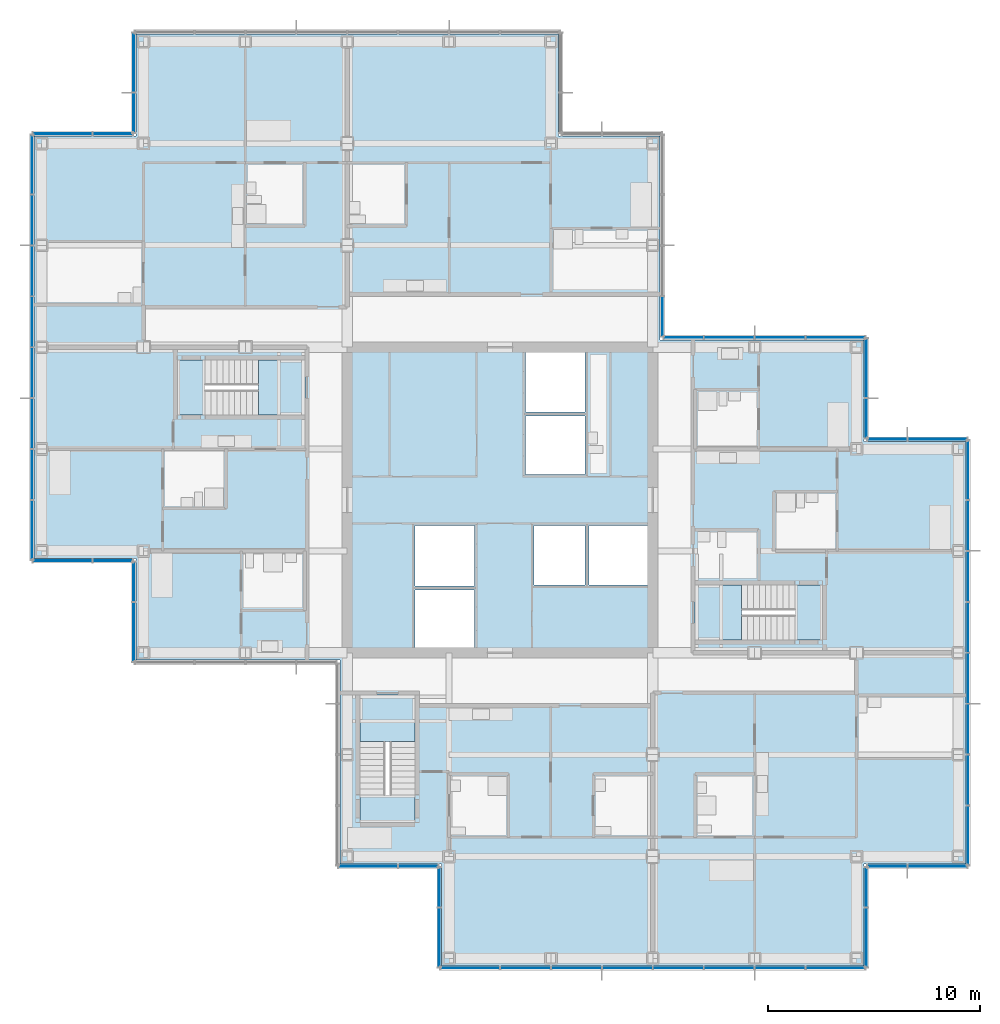
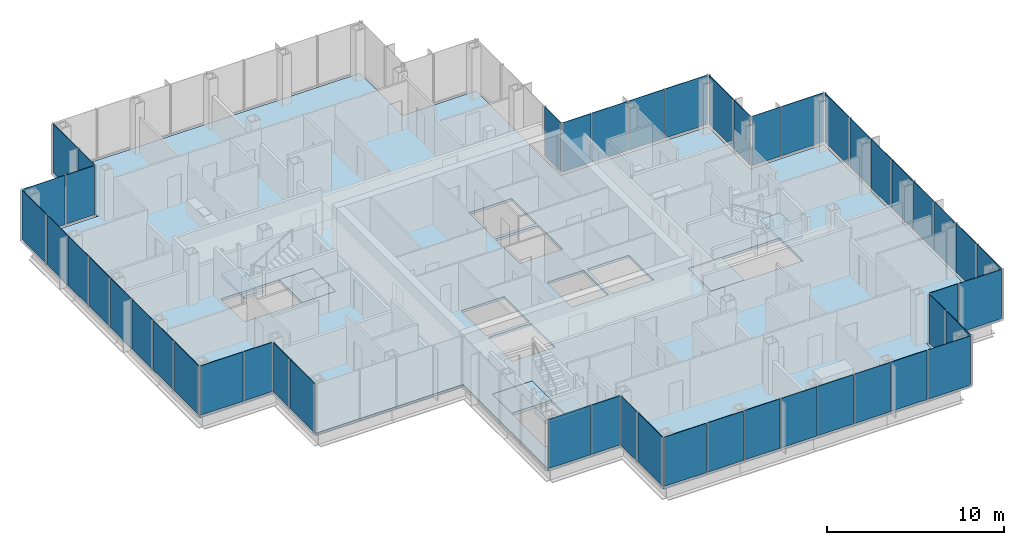
# One storey, part 12 of 20: 49 plates, 7 slabs, 18 elements without a shape of their own.
"""IFC4 building model written with IfcOpenShell, lengths in metres."""

from ifc_helpers import new_model, si_unit, direction, frame, origin, origin_2d, place, context, subcontext, project, spatial, polyline, rectangle, outline, extrude, material, layer, layer_set, type_object, element, aggregate, save


model = new_model("IFC4")

# Units and contexts
model_context = context("Model", 3, precision=1e-05, world=origin(), true_north=direction((0.0, 1.0)))
body_context = subcontext(model_context, "Body", "Model", "MODEL_VIEW")
ifc_project = project(units=[si_unit("LENGTHUNIT", "METRE"), si_unit("AREAUNIT", "SQUARE_METRE"), si_unit("VOLUMEUNIT", "CUBIC_METRE"), si_unit("PLANEANGLEUNIT", "RADIAN"), si_unit("MASSUNIT", "GRAM", prefix="KILO")], contexts=[model_context])

# Site, building, storey
site_placement = place(None, origin())
site = spatial("IfcSite", under=ifc_project, at=site_placement, CompositionType="ELEMENT")
building_placement = place(site_placement, origin())
building = spatial("IfcBuilding", under=site, at=building_placement, Name="Kvirike Care Tower", CompositionType="ELEMENT")
storey_placement = place(building_placement, frame((0.0, 0.0, 126.0)))
storey = spatial("IfcBuildingStorey", under=building, at=storey_placement, Name="L34", CompositionType="ELEMENT", Elevation=126.0)

# Slab
ifc_material_1 = material(Name="Concrete C35/45", Category="concrete")
ifc_layer_1 = layer(ifc_material_1, 0.169921875)
ifc_layer_set_1 = layer_set([ifc_layer_1], Name="FLOOR SLAB 170")
slab_type_1 = type_object("IfcSlabType", Name="FLOOR SLAB 170", PredefinedType="FLOOR", material=ifc_layer_set_1)
slab_1_placement = place(storey_placement, frame((0.0, 0.0, -0.169921875)))
element("IfcSlab", 1, at=slab_1_placement, inside=storey, type_object=slab_type_1, Name="Floor slab L34", PredefinedType="FLOOR", context=body_context, shape_type="SweptSolid", body=[
    extrude(outline(polyline([(43.550048828125, 18.85009765625), (43.550048828125, 38.75), (38.75, 38.75), (38.75, 43.550048828125), (29.14990234375, 43.550048828125), (29.14990234375, 53.14990234375), (24.35009765625, 53.14990234375), (24.35009765625, 57.949951171875), (4.449951171875, 57.949951171875), (4.449951171875, 53.14990234375), (-0.35009765625, 53.14990234375), (-0.35009765625, 33.25), (4.449951171875, 33.25), (4.449951171875, 28.449951171875), (14.050048828125, 28.449951171875), (14.050048828125, 18.85009765625), (18.85009765625, 18.85009765625), (18.85009765625, 14.050048828125), (38.75, 14.050048828125), (38.75, 18.85009765625), (43.550048828125, 18.85009765625)]), holes=[polyline([(17.60009765625, 29.050048828125), (17.60009765625, 31.75), (20.39990234375, 31.75), (20.39990234375, 29.050048828125), (17.60009765625, 29.050048828125)]), polyline([(17.60009765625, 31.949951171875), (17.60009765625, 34.800048828125), (20.39990234375, 34.800048828125), (20.39990234375, 31.949951171875), (17.60009765625, 31.949951171875)]), polyline([(22.800048828125, 37.199951171875), (22.800048828125, 39.949951171875), (25.60009765625, 39.949951171875), (25.60009765625, 37.199951171875), (22.800048828125, 37.199951171875)]), polyline([(22.800048828125, 40.14990234375), (22.800048828125, 42.949951171875), (25.60009765625, 42.949951171875), (25.60009765625, 40.14990234375), (22.800048828125, 40.14990234375)]), polyline([(23.199951171875, 32.0), (23.199951171875, 34.800048828125), (25.60009765625, 34.800048828125), (25.60009765625, 32.0), (23.199951171875, 32.0)]), polyline([(25.800048828125, 32.0), (25.800048828125, 34.800048828125), (28.550048828125, 34.800048828125), (28.550048828125, 32.0), (25.800048828125, 32.0)]), polyline([(12.39990234375, 42.60009765625), (12.39990234375, 40.0), (6.39990234375, 40.0), (6.39990234375, 42.60009765625), (12.39990234375, 42.60009765625)]), polyline([(30.800048828125, 29.39990234375), (30.800048828125, 32.0), (36.800048828125, 32.0), (36.800048828125, 29.39990234375), (30.800048828125, 29.39990234375)]), polyline([(15.0, 26.800048828125), (17.60009765625, 26.800048828125), (17.60009765625, 20.800048828125), (15.0, 20.800048828125), (15.0, 26.800048828125)])]), origin(), (0.0, 0.0, 1.0), 0.169921875),
])

# Stair, slabs
ifc_material_2 = material(Name="Concrete C35/45", Category="concrete")
stair_type = type_object("IfcStairType", Name="STAIR 20 RISERS", PredefinedType="HALF_TURN_STAIR", material=ifc_material_2)
stair_1_placement = place(storey_placement, origin())
stair_1 = element("IfcStair", 2, at=stair_1_placement, inside=storey, type_object=stair_type, Name="Stair 1 L34", PredefinedType="HALF_TURN_STAIR")
ifc_material_3 = material(Name="Concrete C35/45", Category="concrete")
ifc_layer_2 = layer(ifc_material_3, 0.199951171875)
ifc_layer_set_2 = layer_set([ifc_layer_2], Name="STAIR LANDING 200")
slab_type_2 = type_object("IfcSlabType", Name="STAIR LANDING 200", PredefinedType="LANDING", material=ifc_layer_set_2)
slab_2_placement = place(storey_placement, frame((0.0, 0.0, -0.199951171875)))
slab_2 = element("IfcSlab", 3, at=slab_2_placement, type_object=slab_type_2, Name="Stair S1 floor landing L34", PredefinedType="LANDING", context=body_context, shape_type="SweptSolid", body=[
    extrude(outline(polyline([(10.219970703125, 42.60009765625), (10.219970703125, 40.0), (12.39990234375, 40.0), (12.39990234375, 42.60009765625), (10.219970703125, 42.60009765625)])), origin(), (0.0, 0.0, 1.0), 0.199951171875),
])
slab_3_placement = place(storey_placement, frame((0.0, 0.0, 1.550048828125)))
slab_3 = element("IfcSlab", 4, at=slab_3_placement, type_object=slab_type_2, Name="Stair S1 half landing L34-L35", PredefinedType="LANDING", context=body_context, shape_type="SweptSolid", body=[
    extrude(outline(polyline([(6.39990234375, 42.60009765625), (6.39990234375, 40.0), (7.699951171875, 40.0), (7.699951171875, 42.60009765625), (6.39990234375, 42.60009765625)])), origin(), (0.0, 0.0, 1.0), 0.199951171875),
])
aggregate(stair_1, [slab_2, slab_3])

stair_2_placement = place(storey_placement, origin())
stair_2 = element("IfcStair", 5, at=stair_2_placement, inside=storey, type_object=stair_type, Name="Stair 2 L34", PredefinedType="HALF_TURN_STAIR")
slab_4_placement = place(storey_placement, frame((0.0, 0.0, -0.199951171875)))
slab_4 = element("IfcSlab", 6, at=slab_4_placement, type_object=slab_type_2, Name="Stair S2 floor landing L34", PredefinedType="LANDING", context=body_context, shape_type="SweptSolid", body=[
    extrude(outline(polyline([(32.97998046875, 29.39990234375), (32.97998046875, 32.0), (30.800048828125, 32.0), (30.800048828125, 29.39990234375), (32.97998046875, 29.39990234375)])), origin(), (0.0, 0.0, 1.0), 0.199951171875),
])
slab_5_placement = place(storey_placement, frame((0.0, 0.0, 1.550048828125)))
slab_5 = element("IfcSlab", 7, at=slab_5_placement, type_object=slab_type_2, Name="Stair S2 half landing L34-L35", PredefinedType="LANDING", context=body_context, shape_type="SweptSolid", body=[
    extrude(outline(polyline([(36.800048828125, 29.39990234375), (36.800048828125, 32.0), (35.5, 32.0), (35.5, 29.39990234375), (36.800048828125, 29.39990234375)])), origin(), (0.0, 0.0, 1.0), 0.199951171875),
])
aggregate(stair_2, [slab_4, slab_5])

stair_3_placement = place(storey_placement, origin())
stair_3 = element("IfcStair", 8, at=stair_3_placement, inside=storey, type_object=stair_type, Name="Stair 5 L34", PredefinedType="HALF_TURN_STAIR")
slab_6_placement = place(storey_placement, frame((0.0, 0.0, -0.199951171875)))
slab_6 = element("IfcSlab", 9, at=slab_6_placement, type_object=slab_type_2, Name="Stair S5 floor landing L34", PredefinedType="LANDING", context=body_context, shape_type="SweptSolid", body=[
    extrude(outline(polyline([(15.0, 24.6201171875), (17.60009765625, 24.6201171875), (17.60009765625, 26.800048828125), (15.0, 26.800048828125), (15.0, 24.6201171875)])), origin(), (0.0, 0.0, 1.0), 0.199951171875),
])
slab_7_placement = place(storey_placement, frame((0.0, 0.0, 1.550048828125)))
slab_7 = element("IfcSlab", 10, at=slab_7_placement, type_object=slab_type_2, Name="Stair S5 half landing L34-L35", PredefinedType="LANDING", context=body_context, shape_type="SweptSolid", body=[
    extrude(outline(polyline([(15.0, 20.800048828125), (17.60009765625, 20.800048828125), (17.60009765625, 22.10009765625), (15.0, 22.10009765625), (15.0, 20.800048828125)])), origin(), (0.0, 0.0, 1.0), 0.199951171875),
])
aggregate(stair_3, [slab_6, slab_7])

# Curtain wall, plates
ifc_material_4 = material(Name="Anodised aluminium stick system", Category="aluminium")
curtain_wall_type = type_object("IfcCurtainWallType", Name="CW-B STICK CURTAIN WALL", PredefinedType="NOTDEFINED", material=ifc_material_4)
curtain_wall_1_placement = place(storey_placement, origin())
curtain_wall_1 = element("IfcCurtainWall", 11, at=curtain_wall_1_placement, inside=storey, type_object=curtain_wall_type, Name="Curtain wall L34 face 1", PredefinedType="NOTDEFINED")
ifc_material_5 = material(Name="Tinted double glazed unit", Category="glass")
ifc_layer_3 = layer(ifc_material_5, 0.035888671875)
ifc_layer_set_3 = layer_set([ifc_layer_3], Name="TINTED VISION PANEL 36")
plate_type = type_object("IfcPlateType", Name="TINTED VISION PANEL 36", PredefinedType="CURTAIN_PANEL", material=ifc_layer_set_3)
plate_1_placement = place(storey_placement, frame((43.659912109375, 20.186279296875, 0.10009765625), z_axis=(0.0, 0.0, 1.0), x_axis=(0.0, 1.0, 0.0)))
plate_1 = element("IfcPlate", 12, at=plate_1_placement, type_object=plate_type, Name="CW-B panel L34 face 1.1", PredefinedType="CURTAIN_PANEL", context=body_context, shape_type="SweptSolid", body=[
    extrude(rectangle(XDim=2.762451171875, YDim=0.035888671875, at=origin_2d()), origin(), (0.0, 0.0, 1.0), 3.39990234375),
])
plate_2_placement = place(storey_placement, frame((43.659912109375, 22.800048828125, 0.10009765625), z_axis=(0.0, 0.0, 1.0), x_axis=(0.0, 1.0, 0.0)))
plate_2 = element("IfcPlate", 13, at=plate_2_placement, type_object=plate_type, Name="CW-B panel L34 face 1.2", PredefinedType="CURTAIN_PANEL", context=body_context, shape_type="SweptSolid", body=[
    extrude(rectangle(XDim=2.3349609375, YDim=0.035888671875, at=origin_2d()), origin(), (0.0, 0.0, 1.0), 3.39990234375),
])
plate_3_placement = place(storey_placement, frame((43.659912109375, 25.199951171875, 0.10009765625), z_axis=(0.0, 0.0, 1.0), x_axis=(0.0, 1.0, 0.0)))
plate_3 = element("IfcPlate", 14, at=plate_3_placement, type_object=plate_type, Name="CW-B panel L34 face 1.3", PredefinedType="CURTAIN_PANEL", context=body_context, shape_type="SweptSolid", body=[
    extrude(rectangle(XDim=2.3349609375, YDim=0.035888671875, at=origin_2d()), origin(), (0.0, 0.0, 1.0), 3.39990234375),
])
plate_4_placement = place(storey_placement, frame((43.659912109375, 27.60009765625, 0.10009765625), z_axis=(0.0, 0.0, 1.0), x_axis=(0.0, 1.0, 0.0)))
plate_4 = element("IfcPlate", 15, at=plate_4_placement, type_object=plate_type, Name="CW-B panel L34 face 1.4", PredefinedType="CURTAIN_PANEL", context=body_context, shape_type="SweptSolid", body=[
    extrude(rectangle(XDim=2.3349609375, YDim=0.035888671875, at=origin_2d()), origin(), (0.0, 0.0, 1.0), 3.39990234375),
])
plate_5_placement = place(storey_placement, frame((43.659912109375, 30.0, 0.10009765625), z_axis=(0.0, 0.0, 1.0), x_axis=(0.0, 1.0, 0.0)))
plate_5 = element("IfcPlate", 16, at=plate_5_placement, type_object=plate_type, Name="CW-B panel L34 face 1.5", PredefinedType="CURTAIN_PANEL", context=body_context, shape_type="SweptSolid", body=[
    extrude(rectangle(XDim=2.3349609375, YDim=0.035888671875, at=origin_2d()), origin(), (0.0, 0.0, 1.0), 3.39990234375),
])
plate_6_placement = place(storey_placement, frame((43.659912109375, 32.39990234375, 0.10009765625), z_axis=(0.0, 0.0, 1.0), x_axis=(0.0, 1.0, 0.0)))
plate_6 = element("IfcPlate", 17, at=plate_6_placement, type_object=plate_type, Name="CW-B panel L34 face 1.6", PredefinedType="CURTAIN_PANEL", context=body_context, shape_type="SweptSolid", body=[
    extrude(rectangle(XDim=2.3349609375, YDim=0.035888671875, at=origin_2d()), origin(), (0.0, 0.0, 1.0), 3.39990234375),
])
plate_7_placement = place(storey_placement, frame((43.659912109375, 34.800048828125, 0.10009765625), z_axis=(0.0, 0.0, 1.0), x_axis=(0.0, 1.0, 0.0)))
plate_7 = element("IfcPlate", 18, at=plate_7_placement, type_object=plate_type, Name="CW-B panel L34 face 1.7", PredefinedType="CURTAIN_PANEL", context=body_context, shape_type="SweptSolid", body=[
    extrude(rectangle(XDim=2.3349609375, YDim=0.035888671875, at=origin_2d()), origin(), (0.0, 0.0, 1.0), 3.39990234375),
])
plate_8_placement = place(storey_placement, frame((43.659912109375, 37.413818359375, 0.10009765625), z_axis=(0.0, 0.0, 1.0), x_axis=(0.0, 1.0, 0.0)))
plate_8 = element("IfcPlate", 19, at=plate_8_placement, type_object=plate_type, Name="CW-B panel L34 face 1.8", PredefinedType="CURTAIN_PANEL", context=body_context, shape_type="SweptSolid", body=[
    extrude(rectangle(XDim=2.762451171875, YDim=0.035888671875, at=origin_2d()), origin(), (0.0, 0.0, 1.0), 3.39990234375),
])
aggregate(curtain_wall_1, [plate_1, plate_2, plate_3, plate_4, plate_5, plate_6, plate_7, plate_8])

curtain_wall_2_placement = place(storey_placement, origin())
curtain_wall_2 = element("IfcCurtainWall", 20, at=curtain_wall_2_placement, inside=storey, type_object=curtain_wall_type, Name="Curtain wall L34 face 2", PredefinedType="NOTDEFINED")
plate_9_placement = place(storey_placement, frame((42.2138671875, 38.860107421875, 0.10009765625), z_axis=(0.0, 0.0, 1.0), x_axis=(-1.0, 0.0, 0.0)))
plate_9 = element("IfcPlate", 21, at=plate_9_placement, type_object=plate_type, Name="CW-B panel L34 face 2.1", PredefinedType="CURTAIN_PANEL", context=body_context, shape_type="SweptSolid", body=[
    extrude(rectangle(XDim=2.762451171875, YDim=0.035888671875, at=origin_2d()), origin(), (0.0, 0.0, 1.0), 3.39990234375),
])
plate_10_placement = place(storey_placement, frame((39.84619140625, 38.860107421875, 0.10009765625), z_axis=(0.0, 0.0, 1.0), x_axis=(-1.0, 0.0, 0.0)))
plate_10 = element("IfcPlate", 22, at=plate_10_placement, type_object=plate_type, Name="CW-B panel L34 face 2.2", PredefinedType="CURTAIN_PANEL", context=body_context, shape_type="SweptSolid", body=[
    extrude(rectangle(XDim=1.842529296875, YDim=0.035888671875, at=origin_2d()), origin(), (0.0, 0.0, 1.0), 3.39990234375),
])
aggregate(curtain_wall_2, [plate_9, plate_10])

curtain_wall_3_placement = place(storey_placement, origin())
curtain_wall_3 = element("IfcCurtainWall", 23, at=curtain_wall_3_placement, inside=storey, type_object=curtain_wall_type, Name="Curtain wall L34 face 3", PredefinedType="NOTDEFINED")
plate_11_placement = place(storey_placement, frame((38.860107421875, 39.84619140625, 0.10009765625), z_axis=(0.0, 0.0, 1.0), x_axis=(0.0, 1.0, 0.0)))
plate_11 = element("IfcPlate", 24, at=plate_11_placement, type_object=plate_type, Name="CW-B panel L34 face 3.1", PredefinedType="CURTAIN_PANEL", context=body_context, shape_type="SweptSolid", body=[
    extrude(rectangle(XDim=1.842529296875, YDim=0.035888671875, at=origin_2d()), origin(), (0.0, 0.0, 1.0), 3.39990234375),
])
plate_12_placement = place(storey_placement, frame((38.860107421875, 42.2138671875, 0.10009765625), z_axis=(0.0, 0.0, 1.0), x_axis=(0.0, 1.0, 0.0)))
plate_12 = element("IfcPlate", 25, at=plate_12_placement, type_object=plate_type, Name="CW-B panel L34 face 3.2", PredefinedType="CURTAIN_PANEL", context=body_context, shape_type="SweptSolid", body=[
    extrude(rectangle(XDim=2.762451171875, YDim=0.035888671875, at=origin_2d()), origin(), (0.0, 0.0, 1.0), 3.39990234375),
])
aggregate(curtain_wall_3, [plate_11, plate_12])

curtain_wall_4_placement = place(storey_placement, origin())
curtain_wall_4 = element("IfcCurtainWall", 26, at=curtain_wall_4_placement, inside=storey, type_object=curtain_wall_type, Name="Curtain wall L34 face 4", PredefinedType="NOTDEFINED")
plate_13_placement = place(storey_placement, frame((37.413818359375, 43.659912109375, 0.10009765625), z_axis=(0.0, 0.0, 1.0), x_axis=(-1.0, 0.0, 0.0)))
plate_13 = element("IfcPlate", 27, at=plate_13_placement, type_object=plate_type, Name="CW-B panel L34 face 4.1", PredefinedType="CURTAIN_PANEL", context=body_context, shape_type="SweptSolid", body=[
    extrude(rectangle(XDim=2.762451171875, YDim=0.035888671875, at=origin_2d()), origin(), (0.0, 0.0, 1.0), 3.39990234375),
])
plate_14_placement = place(storey_placement, frame((34.800048828125, 43.659912109375, 0.10009765625), z_axis=(0.0, 0.0, 1.0), x_axis=(-1.0, 0.0, 0.0)))
plate_14 = element("IfcPlate", 28, at=plate_14_placement, type_object=plate_type, Name="CW-B panel L34 face 4.2", PredefinedType="CURTAIN_PANEL", context=body_context, shape_type="SweptSolid", body=[
    extrude(rectangle(XDim=2.3349609375, YDim=0.035888671875, at=origin_2d()), origin(), (0.0, 0.0, 1.0), 3.39990234375),
])
plate_15_placement = place(storey_placement, frame((32.39990234375, 43.659912109375, 0.10009765625), z_axis=(0.0, 0.0, 1.0), x_axis=(-1.0, 0.0, 0.0)))
plate_15 = element("IfcPlate", 29, at=plate_15_placement, type_object=plate_type, Name="CW-B panel L34 face 4.3", PredefinedType="CURTAIN_PANEL", context=body_context, shape_type="SweptSolid", body=[
    extrude(rectangle(XDim=2.3349609375, YDim=0.035888671875, at=origin_2d()), origin(), (0.0, 0.0, 1.0), 3.39990234375),
])
plate_16_placement = place(storey_placement, frame((30.246337890625, 43.659912109375, 0.10009765625), z_axis=(0.0, 0.0, 1.0), x_axis=(-1.0, 0.0, 0.0)))
plate_16 = element("IfcPlate", 30, at=plate_16_placement, type_object=plate_type, Name="CW-B panel L34 face 4.4", PredefinedType="CURTAIN_PANEL", context=body_context, shape_type="SweptSolid", body=[
    extrude(rectangle(XDim=1.842529296875, YDim=0.035888671875, at=origin_2d()), origin(), (0.0, 0.0, 1.0), 3.39990234375),
])
aggregate(curtain_wall_4, [plate_13, plate_14, plate_15, plate_16])

# Curtain wall, plate
curtain_wall_5_placement = place(storey_placement, origin())
curtain_wall_5 = element("IfcCurtainWall", 31, at=curtain_wall_5_placement, inside=storey, type_object=curtain_wall_type, Name="Curtain wall L34 face 5", PredefinedType="NOTDEFINED")
plate_17_placement = place(storey_placement, frame((29.260009765625, 44.646240234375, 0.10009765625), z_axis=(0.0, 0.0, 1.0), x_axis=(0.0, 1.0, 0.0)))
plate_17 = element("IfcPlate", 32, at=plate_17_placement, type_object=plate_type, Name="CW-B panel L34 face 5.1", PredefinedType="CURTAIN_PANEL", context=body_context, shape_type="SweptSolid", body=[
    extrude(rectangle(XDim=1.842529296875, YDim=0.035888671875, at=origin_2d()), origin(), (0.0, 0.0, 1.0), 3.39990234375),
])
aggregate(curtain_wall_5, [plate_17])

# Curtain wall, plates
curtain_wall_6_placement = place(storey_placement, origin())
curtain_wall_6 = element("IfcCurtainWall", 33, at=curtain_wall_6_placement, inside=storey, type_object=curtain_wall_type, Name="Curtain wall L34 face 9", PredefinedType="NOTDEFINED")
plate_18_placement = place(storey_placement, frame((4.340087890625, 56.61376953125, 0.10009765625), z_axis=(0.0, 0.0, 1.0), x_axis=(0.0, -1.0, 0.0)))
plate_18 = element("IfcPlate", 34, at=plate_18_placement, type_object=plate_type, Name="CW-B panel L34 face 9.1", PredefinedType="CURTAIN_PANEL", context=body_context, shape_type="SweptSolid", body=[
    extrude(rectangle(XDim=2.762451171875, YDim=0.035888671875, at=origin_2d()), origin(), (0.0, 0.0, 1.0), 3.39990234375),
])
plate_19_placement = place(storey_placement, frame((4.340087890625, 54.246337890625, 0.10009765625), z_axis=(0.0, 0.0, 1.0), x_axis=(0.0, -1.0, 0.0)))
plate_19 = element("IfcPlate", 35, at=plate_19_placement, type_object=plate_type, Name="CW-B panel L34 face 9.2", PredefinedType="CURTAIN_PANEL", context=body_context, shape_type="SweptSolid", body=[
    extrude(rectangle(XDim=1.842529296875, YDim=0.035888671875, at=origin_2d()), origin(), (0.0, 0.0, 1.0), 3.39990234375),
])
aggregate(curtain_wall_6, [plate_18, plate_19])

curtain_wall_7_placement = place(storey_placement, origin())
curtain_wall_7 = element("IfcCurtainWall", 36, at=curtain_wall_7_placement, inside=storey, type_object=curtain_wall_type, Name="Curtain wall L34 face 10", PredefinedType="NOTDEFINED")
plate_20_placement = place(storey_placement, frame((3.353759765625, 53.260009765625, 0.10009765625), z_axis=(0.0, 0.0, 1.0), x_axis=(-1.0, 0.0, 0.0)))
plate_20 = element("IfcPlate", 37, at=plate_20_placement, type_object=plate_type, Name="CW-B panel L34 face 10.1", PredefinedType="CURTAIN_PANEL", context=body_context, shape_type="SweptSolid", body=[
    extrude(rectangle(XDim=1.842529296875, YDim=0.035888671875, at=origin_2d()), origin(), (0.0, 0.0, 1.0), 3.39990234375),
])
plate_21_placement = place(storey_placement, frame((0.986328125, 53.260009765625, 0.10009765625), z_axis=(0.0, 0.0, 1.0), x_axis=(-1.0, 0.0, 0.0)))
plate_21 = element("IfcPlate", 38, at=plate_21_placement, type_object=plate_type, Name="CW-B panel L34 face 10.2", PredefinedType="CURTAIN_PANEL", context=body_context, shape_type="SweptSolid", body=[
    extrude(rectangle(XDim=2.762451171875, YDim=0.035888671875, at=origin_2d()), origin(), (0.0, 0.0, 1.0), 3.39990234375),
])
aggregate(curtain_wall_7, [plate_20, plate_21])

curtain_wall_8_placement = place(storey_placement, origin())
curtain_wall_8 = element("IfcCurtainWall", 39, at=curtain_wall_8_placement, inside=storey, type_object=curtain_wall_type, Name="Curtain wall L34 face 11", PredefinedType="NOTDEFINED")
plate_22_placement = place(storey_placement, frame((-0.4599609375, 51.813720703125, 0.10009765625), z_axis=(0.0, 0.0, 1.0), x_axis=(0.0, -1.0, 0.0)))
plate_22 = element("IfcPlate", 40, at=plate_22_placement, type_object=plate_type, Name="CW-B panel L34 face 11.1", PredefinedType="CURTAIN_PANEL", context=body_context, shape_type="SweptSolid", body=[
    extrude(rectangle(XDim=2.762451171875, YDim=0.035888671875, at=origin_2d()), origin(), (0.0, 0.0, 1.0), 3.39990234375),
])
plate_23_placement = place(storey_placement, frame((-0.4599609375, 49.199951171875, 0.10009765625), z_axis=(0.0, 0.0, 1.0), x_axis=(0.0, -1.0, 0.0)))
plate_23 = element("IfcPlate", 41, at=plate_23_placement, type_object=plate_type, Name="CW-B panel L34 face 11.2", PredefinedType="CURTAIN_PANEL", context=body_context, shape_type="SweptSolid", body=[
    extrude(rectangle(XDim=2.3349609375, YDim=0.035888671875, at=origin_2d()), origin(), (0.0, 0.0, 1.0), 3.39990234375),
])
plate_24_placement = place(storey_placement, frame((-0.4599609375, 46.800048828125, 0.10009765625), z_axis=(0.0, 0.0, 1.0), x_axis=(0.0, -1.0, 0.0)))
plate_24 = element("IfcPlate", 42, at=plate_24_placement, type_object=plate_type, Name="CW-B panel L34 face 11.3", PredefinedType="CURTAIN_PANEL", context=body_context, shape_type="SweptSolid", body=[
    extrude(rectangle(XDim=2.3349609375, YDim=0.035888671875, at=origin_2d()), origin(), (0.0, 0.0, 1.0), 3.39990234375),
])
plate_25_placement = place(storey_placement, frame((-0.4599609375, 44.39990234375, 0.10009765625), z_axis=(0.0, 0.0, 1.0), x_axis=(0.0, -1.0, 0.0)))
plate_25 = element("IfcPlate", 43, at=plate_25_placement, type_object=plate_type, Name="CW-B panel L34 face 11.4", PredefinedType="CURTAIN_PANEL", context=body_context, shape_type="SweptSolid", body=[
    extrude(rectangle(XDim=2.3349609375, YDim=0.035888671875, at=origin_2d()), origin(), (0.0, 0.0, 1.0), 3.39990234375),
])
plate_26_placement = place(storey_placement, frame((-0.4599609375, 42.0, 0.10009765625), z_axis=(0.0, 0.0, 1.0), x_axis=(0.0, -1.0, 0.0)))
plate_26 = element("IfcPlate", 44, at=plate_26_placement, type_object=plate_type, Name="CW-B panel L34 face 11.5", PredefinedType="CURTAIN_PANEL", context=body_context, shape_type="SweptSolid", body=[
    extrude(rectangle(XDim=2.3349609375, YDim=0.035888671875, at=origin_2d()), origin(), (0.0, 0.0, 1.0), 3.39990234375),
])
plate_27_placement = place(storey_placement, frame((-0.4599609375, 39.60009765625, 0.10009765625), z_axis=(0.0, 0.0, 1.0), x_axis=(0.0, -1.0, 0.0)))
plate_27 = element("IfcPlate", 45, at=plate_27_placement, type_object=plate_type, Name="CW-B panel L34 face 11.6", PredefinedType="CURTAIN_PANEL", context=body_context, shape_type="SweptSolid", body=[
    extrude(rectangle(XDim=2.3349609375, YDim=0.035888671875, at=origin_2d()), origin(), (0.0, 0.0, 1.0), 3.39990234375),
])
plate_28_placement = place(storey_placement, frame((-0.4599609375, 37.199951171875, 0.10009765625), z_axis=(0.0, 0.0, 1.0), x_axis=(0.0, -1.0, 0.0)))
plate_28 = element("IfcPlate", 46, at=plate_28_placement, type_object=plate_type, Name="CW-B panel L34 face 11.7", PredefinedType="CURTAIN_PANEL", context=body_context, shape_type="SweptSolid", body=[
    extrude(rectangle(XDim=2.3349609375, YDim=0.035888671875, at=origin_2d()), origin(), (0.0, 0.0, 1.0), 3.39990234375),
])
plate_29_placement = place(storey_placement, frame((-0.4599609375, 34.586181640625, 0.10009765625), z_axis=(0.0, 0.0, 1.0), x_axis=(0.0, -1.0, 0.0)))
plate_29 = element("IfcPlate", 47, at=plate_29_placement, type_object=plate_type, Name="CW-B panel L34 face 11.8", PredefinedType="CURTAIN_PANEL", context=body_context, shape_type="SweptSolid", body=[
    extrude(rectangle(XDim=2.762451171875, YDim=0.035888671875, at=origin_2d()), origin(), (0.0, 0.0, 1.0), 3.39990234375),
])
aggregate(curtain_wall_8, [plate_22, plate_23, plate_24, plate_25, plate_26, plate_27, plate_28, plate_29])

curtain_wall_9_placement = place(storey_placement, origin())
curtain_wall_9 = element("IfcCurtainWall", 48, at=curtain_wall_9_placement, inside=storey, type_object=curtain_wall_type, Name="Curtain wall L34 face 12", PredefinedType="NOTDEFINED")
plate_30_placement = place(storey_placement, frame((0.986328125, 33.139892578125, 0.10009765625), z_axis=(0.0, 0.0, 1.0), x_axis=(1.0, 0.0, 0.0)))
plate_30 = element("IfcPlate", 49, at=plate_30_placement, type_object=plate_type, Name="CW-B panel L34 face 12.1", PredefinedType="CURTAIN_PANEL", context=body_context, shape_type="SweptSolid", body=[
    extrude(rectangle(XDim=2.762451171875, YDim=0.035888671875, at=origin_2d()), origin(), (0.0, 0.0, 1.0), 3.39990234375),
])
plate_31_placement = place(storey_placement, frame((3.353759765625, 33.139892578125, 0.10009765625), z_axis=(0.0, 0.0, 1.0), x_axis=(1.0, 0.0, 0.0)))
plate_31 = element("IfcPlate", 50, at=plate_31_placement, type_object=plate_type, Name="CW-B panel L34 face 12.2", PredefinedType="CURTAIN_PANEL", context=body_context, shape_type="SweptSolid", body=[
    extrude(rectangle(XDim=1.842529296875, YDim=0.035888671875, at=origin_2d()), origin(), (0.0, 0.0, 1.0), 3.39990234375),
])
aggregate(curtain_wall_9, [plate_30, plate_31])

curtain_wall_10_placement = place(storey_placement, origin())
curtain_wall_10 = element("IfcCurtainWall", 51, at=curtain_wall_10_placement, inside=storey, type_object=curtain_wall_type, Name="Curtain wall L34 face 13", PredefinedType="NOTDEFINED")
plate_32_placement = place(storey_placement, frame((4.340087890625, 32.15380859375, 0.10009765625), z_axis=(0.0, 0.0, 1.0), x_axis=(0.0, -1.0, 0.0)))
plate_32 = element("IfcPlate", 52, at=plate_32_placement, type_object=plate_type, Name="CW-B panel L34 face 13.1", PredefinedType="CURTAIN_PANEL", context=body_context, shape_type="SweptSolid", body=[
    extrude(rectangle(XDim=1.842529296875, YDim=0.035888671875, at=origin_2d()), origin(), (0.0, 0.0, 1.0), 3.39990234375),
])
plate_33_placement = place(storey_placement, frame((4.340087890625, 29.7861328125, 0.10009765625), z_axis=(0.0, 0.0, 1.0), x_axis=(0.0, -1.0, 0.0)))
plate_33 = element("IfcPlate", 53, at=plate_33_placement, type_object=plate_type, Name="CW-B panel L34 face 13.2", PredefinedType="CURTAIN_PANEL", context=body_context, shape_type="SweptSolid", body=[
    extrude(rectangle(XDim=2.762451171875, YDim=0.035888671875, at=origin_2d()), origin(), (0.0, 0.0, 1.0), 3.39990234375),
])
aggregate(curtain_wall_10, [plate_32, plate_33])

curtain_wall_11_placement = place(storey_placement, origin())
curtain_wall_11 = element("IfcCurtainWall", 54, at=curtain_wall_11_placement, inside=storey, type_object=curtain_wall_type, Name="Curtain wall L34 face 16", PredefinedType="NOTDEFINED")
plate_34_placement = place(storey_placement, frame((15.38623046875, 18.739990234375, 0.10009765625), z_axis=(0.0, 0.0, 1.0), x_axis=(1.0, 0.0, 0.0)))
plate_34 = element("IfcPlate", 55, at=plate_34_placement, type_object=plate_type, Name="CW-B panel L34 face 16.1", PredefinedType="CURTAIN_PANEL", context=body_context, shape_type="SweptSolid", body=[
    extrude(rectangle(XDim=2.762451171875, YDim=0.035888671875, at=origin_2d()), origin(), (0.0, 0.0, 1.0), 3.39990234375),
])
plate_35_placement = place(storey_placement, frame((17.753662109375, 18.739990234375, 0.10009765625), z_axis=(0.0, 0.0, 1.0), x_axis=(1.0, 0.0, 0.0)))
plate_35 = element("IfcPlate", 56, at=plate_35_placement, type_object=plate_type, Name="CW-B panel L34 face 16.2", PredefinedType="CURTAIN_PANEL", context=body_context, shape_type="SweptSolid", body=[
    extrude(rectangle(XDim=1.842529296875, YDim=0.035888671875, at=origin_2d()), origin(), (0.0, 0.0, 1.0), 3.39990234375),
])
aggregate(curtain_wall_11, [plate_34, plate_35])

curtain_wall_12_placement = place(storey_placement, origin())
curtain_wall_12 = element("IfcCurtainWall", 57, at=curtain_wall_12_placement, inside=storey, type_object=curtain_wall_type, Name="Curtain wall L34 face 17", PredefinedType="NOTDEFINED")
plate_36_placement = place(storey_placement, frame((18.739990234375, 17.753662109375, 0.10009765625), z_axis=(0.0, 0.0, 1.0), x_axis=(0.0, -1.0, 0.0)))
plate_36 = element("IfcPlate", 58, at=plate_36_placement, type_object=plate_type, Name="CW-B panel L34 face 17.1", PredefinedType="CURTAIN_PANEL", context=body_context, shape_type="SweptSolid", body=[
    extrude(rectangle(XDim=1.842529296875, YDim=0.035888671875, at=origin_2d()), origin(), (0.0, 0.0, 1.0), 3.39990234375),
])
plate_37_placement = place(storey_placement, frame((18.739990234375, 15.38623046875, 0.10009765625), z_axis=(0.0, 0.0, 1.0), x_axis=(0.0, -1.0, 0.0)))
plate_37 = element("IfcPlate", 59, at=plate_37_placement, type_object=plate_type, Name="CW-B panel L34 face 17.2", PredefinedType="CURTAIN_PANEL", context=body_context, shape_type="SweptSolid", body=[
    extrude(rectangle(XDim=2.762451171875, YDim=0.035888671875, at=origin_2d()), origin(), (0.0, 0.0, 1.0), 3.39990234375),
])
aggregate(curtain_wall_12, [plate_36, plate_37])

curtain_wall_13_placement = place(storey_placement, origin())
curtain_wall_13 = element("IfcCurtainWall", 60, at=curtain_wall_13_placement, inside=storey, type_object=curtain_wall_type, Name="Curtain wall L34 face 18", PredefinedType="NOTDEFINED")
plate_38_placement = place(storey_placement, frame((20.186279296875, 13.93994140625, 0.10009765625), z_axis=(0.0, 0.0, 1.0), x_axis=(1.0, 0.0, 0.0)))
plate_38 = element("IfcPlate", 61, at=plate_38_placement, type_object=plate_type, Name="CW-B panel L34 face 18.1", PredefinedType="CURTAIN_PANEL", context=body_context, shape_type="SweptSolid", body=[
    extrude(rectangle(XDim=2.762451171875, YDim=0.035888671875, at=origin_2d()), origin(), (0.0, 0.0, 1.0), 3.39990234375),
])
plate_39_placement = place(storey_placement, frame((22.800048828125, 13.93994140625, 0.10009765625), z_axis=(0.0, 0.0, 1.0), x_axis=(1.0, 0.0, 0.0)))
plate_39 = element("IfcPlate", 62, at=plate_39_placement, type_object=plate_type, Name="CW-B panel L34 face 18.2", PredefinedType="CURTAIN_PANEL", context=body_context, shape_type="SweptSolid", body=[
    extrude(rectangle(XDim=2.3349609375, YDim=0.035888671875, at=origin_2d()), origin(), (0.0, 0.0, 1.0), 3.39990234375),
])
plate_40_placement = place(storey_placement, frame((25.199951171875, 13.93994140625, 0.10009765625), z_axis=(0.0, 0.0, 1.0), x_axis=(1.0, 0.0, 0.0)))
plate_40 = element("IfcPlate", 63, at=plate_40_placement, type_object=plate_type, Name="CW-B panel L34 face 18.3", PredefinedType="CURTAIN_PANEL", context=body_context, shape_type="SweptSolid", body=[
    extrude(rectangle(XDim=2.3349609375, YDim=0.035888671875, at=origin_2d()), origin(), (0.0, 0.0, 1.0), 3.39990234375),
])
plate_41_placement = place(storey_placement, frame((27.60009765625, 13.93994140625, 0.10009765625), z_axis=(0.0, 0.0, 1.0), x_axis=(1.0, 0.0, 0.0)))
plate_41 = element("IfcPlate", 64, at=plate_41_placement, type_object=plate_type, Name="CW-B panel L34 face 18.4", PredefinedType="CURTAIN_PANEL", context=body_context, shape_type="SweptSolid", body=[
    extrude(rectangle(XDim=2.3349609375, YDim=0.035888671875, at=origin_2d()), origin(), (0.0, 0.0, 1.0), 3.39990234375),
])
plate_42_placement = place(storey_placement, frame((30.0, 13.93994140625, 0.10009765625), z_axis=(0.0, 0.0, 1.0), x_axis=(1.0, 0.0, 0.0)))
plate_42 = element("IfcPlate", 65, at=plate_42_placement, type_object=plate_type, Name="CW-B panel L34 face 18.5", PredefinedType="CURTAIN_PANEL", context=body_context, shape_type="SweptSolid", body=[
    extrude(rectangle(XDim=2.3349609375, YDim=0.035888671875, at=origin_2d()), origin(), (0.0, 0.0, 1.0), 3.39990234375),
])
plate_43_placement = place(storey_placement, frame((32.39990234375, 13.93994140625, 0.10009765625), z_axis=(0.0, 0.0, 1.0), x_axis=(1.0, 0.0, 0.0)))
plate_43 = element("IfcPlate", 66, at=plate_43_placement, type_object=plate_type, Name="CW-B panel L34 face 18.6", PredefinedType="CURTAIN_PANEL", context=body_context, shape_type="SweptSolid", body=[
    extrude(rectangle(XDim=2.3349609375, YDim=0.035888671875, at=origin_2d()), origin(), (0.0, 0.0, 1.0), 3.39990234375),
])
plate_44_placement = place(storey_placement, frame((34.800048828125, 13.93994140625, 0.10009765625), z_axis=(0.0, 0.0, 1.0), x_axis=(1.0, 0.0, 0.0)))
plate_44 = element("IfcPlate", 67, at=plate_44_placement, type_object=plate_type, Name="CW-B panel L34 face 18.7", PredefinedType="CURTAIN_PANEL", context=body_context, shape_type="SweptSolid", body=[
    extrude(rectangle(XDim=2.3349609375, YDim=0.035888671875, at=origin_2d()), origin(), (0.0, 0.0, 1.0), 3.39990234375),
])
plate_45_placement = place(storey_placement, frame((37.413818359375, 13.93994140625, 0.10009765625), z_axis=(0.0, 0.0, 1.0), x_axis=(1.0, 0.0, 0.0)))
plate_45 = element("IfcPlate", 68, at=plate_45_placement, type_object=plate_type, Name="CW-B panel L34 face 18.8", PredefinedType="CURTAIN_PANEL", context=body_context, shape_type="SweptSolid", body=[
    extrude(rectangle(XDim=2.762451171875, YDim=0.035888671875, at=origin_2d()), origin(), (0.0, 0.0, 1.0), 3.39990234375),
])
aggregate(curtain_wall_13, [plate_38, plate_39, plate_40, plate_41, plate_42, plate_43, plate_44, plate_45])

curtain_wall_14_placement = place(storey_placement, origin())
curtain_wall_14 = element("IfcCurtainWall", 69, at=curtain_wall_14_placement, inside=storey, type_object=curtain_wall_type, Name="Curtain wall L34 face 19", PredefinedType="NOTDEFINED")
plate_46_placement = place(storey_placement, frame((38.860107421875, 15.38623046875, 0.10009765625), z_axis=(0.0, 0.0, 1.0), x_axis=(0.0, 1.0, 0.0)))
plate_46 = element("IfcPlate", 70, at=plate_46_placement, type_object=plate_type, Name="CW-B panel L34 face 19.1", PredefinedType="CURTAIN_PANEL", context=body_context, shape_type="SweptSolid", body=[
    extrude(rectangle(XDim=2.762451171875, YDim=0.035888671875, at=origin_2d()), origin(), (0.0, 0.0, 1.0), 3.39990234375),
])
plate_47_placement = place(storey_placement, frame((38.860107421875, 17.753662109375, 0.10009765625), z_axis=(0.0, 0.0, 1.0), x_axis=(0.0, 1.0, 0.0)))
plate_47 = element("IfcPlate", 71, at=plate_47_placement, type_object=plate_type, Name="CW-B panel L34 face 19.2", PredefinedType="CURTAIN_PANEL", context=body_context, shape_type="SweptSolid", body=[
    extrude(rectangle(XDim=1.842529296875, YDim=0.035888671875, at=origin_2d()), origin(), (0.0, 0.0, 1.0), 3.39990234375),
])
aggregate(curtain_wall_14, [plate_46, plate_47])

curtain_wall_15_placement = place(storey_placement, origin())
curtain_wall_15 = element("IfcCurtainWall", 72, at=curtain_wall_15_placement, inside=storey, type_object=curtain_wall_type, Name="Curtain wall L34 face 20", PredefinedType="NOTDEFINED")
plate_48_placement = place(storey_placement, frame((39.84619140625, 18.739990234375, 0.10009765625), z_axis=(0.0, 0.0, 1.0), x_axis=(1.0, 0.0, 0.0)))
plate_48 = element("IfcPlate", 73, at=plate_48_placement, type_object=plate_type, Name="CW-B panel L34 face 20.1", PredefinedType="CURTAIN_PANEL", context=body_context, shape_type="SweptSolid", body=[
    extrude(rectangle(XDim=1.842529296875, YDim=0.035888671875, at=origin_2d()), origin(), (0.0, 0.0, 1.0), 3.39990234375),
])
plate_49_placement = place(storey_placement, frame((42.2138671875, 18.739990234375, 0.10009765625), z_axis=(0.0, 0.0, 1.0), x_axis=(1.0, 0.0, 0.0)))
plate_49 = element("IfcPlate", 74, at=plate_49_placement, type_object=plate_type, Name="CW-B panel L34 face 20.2", PredefinedType="CURTAIN_PANEL", context=body_context, shape_type="SweptSolid", body=[
    extrude(rectangle(XDim=2.762451171875, YDim=0.035888671875, at=origin_2d()), origin(), (0.0, 0.0, 1.0), 3.39990234375),
])
aggregate(curtain_wall_15, [plate_48, plate_49])

save(model, "model.ifc")
